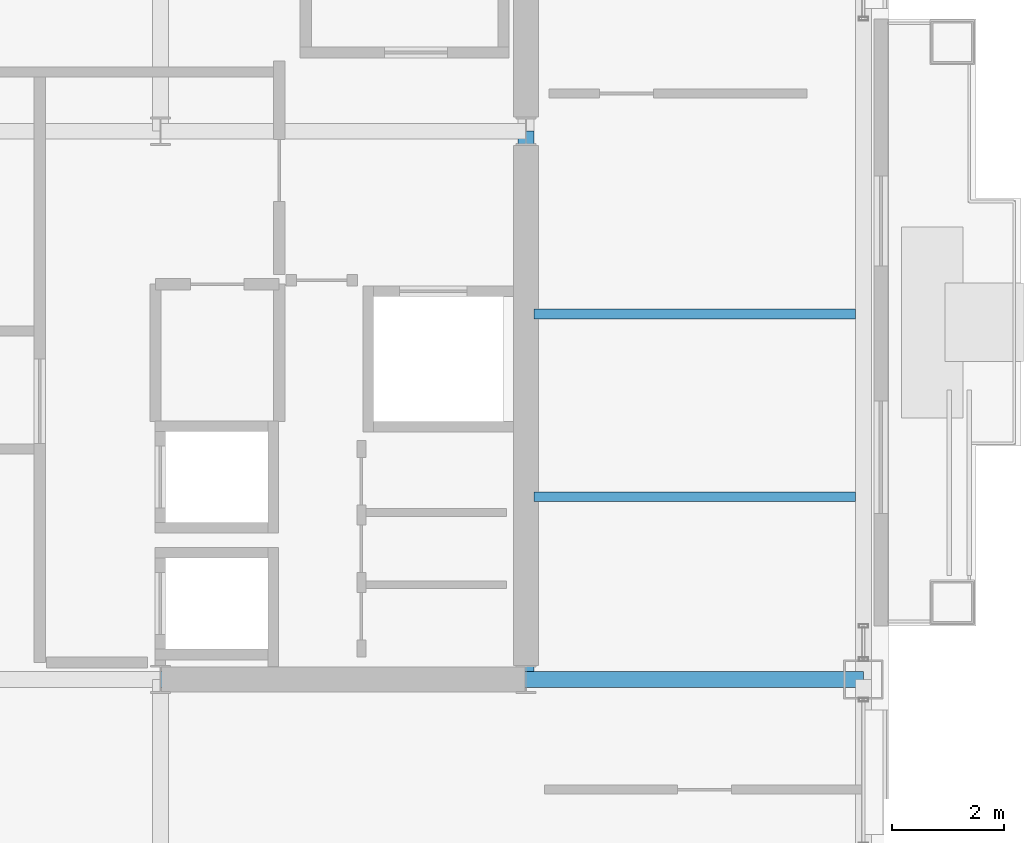
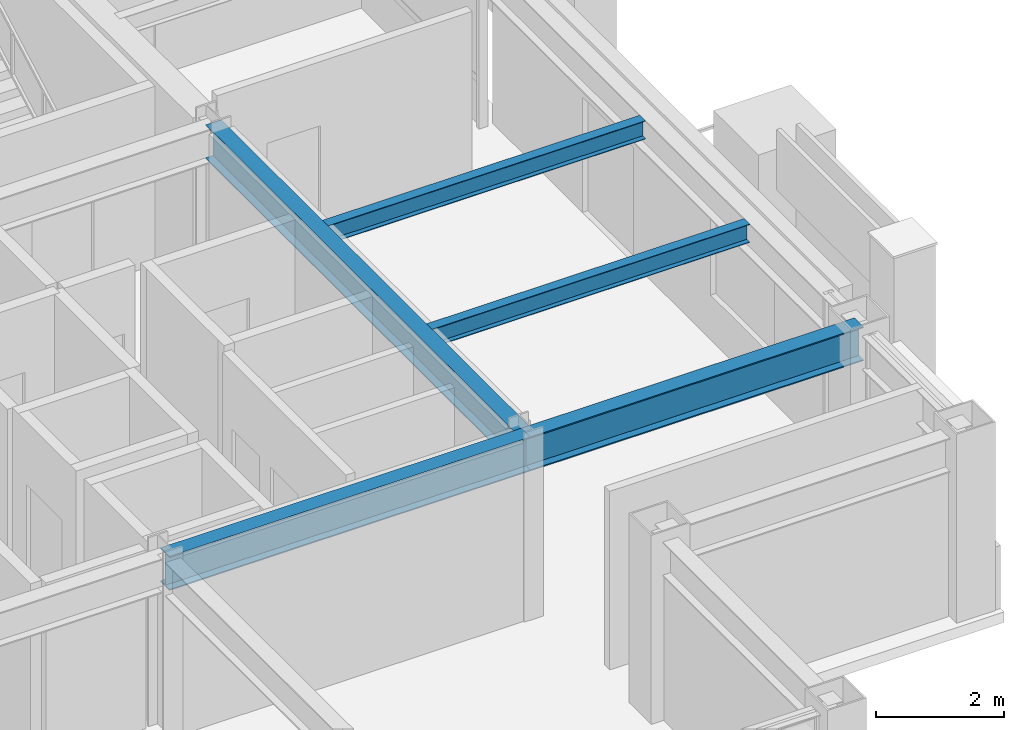
# One storey, part 13 of 30: 5 beams.
"""IFC4 building model written with IfcOpenShell, lengths in metres."""

from ifc_helpers import new_model, si_unit, direction, frame, origin, origin_2d, place, context, subcontext, project, spatial, i_section, extrude, material, material_profile, profile_set, type_object, element, save


model = new_model("IFC4")

# Units and contexts
model_context = context("Model", 3, precision=1e-05, world=origin(), true_north=direction((0.0, 1.0)))
body_context = subcontext(model_context, "Body", "Model", "MODEL_VIEW")
ifc_project = project(units=[si_unit("LENGTHUNIT", "METRE"), si_unit("AREAUNIT", "SQUARE_METRE"), si_unit("VOLUMEUNIT", "CUBIC_METRE"), si_unit("PLANEANGLEUNIT", "RADIAN"), si_unit("MASSUNIT", "GRAM", prefix="KILO")], contexts=[model_context])

# Site, building, storey
site_placement = place(None, origin())
site = spatial("IfcSite", under=ifc_project, at=site_placement, CompositionType="ELEMENT")
building_placement = place(site_placement, origin())
building = spatial("IfcBuilding", under=site, at=building_placement, Name="Brelmoor Portico Tower", CompositionType="ELEMENT")
storey_placement = place(building_placement, frame((0.0, 0.0, 198.300048828125)))
storey = spatial("IfcBuildingStorey", under=building, at=storey_placement, Name="L52", CompositionType="ELEMENT", Elevation=198.300048828125)

# Beams
ifc_material = material(Name="Steel Q355B", Category="steel")
ifc_material_profile_1 = material_profile(ifc_material, i_section(OverallWidth=0.175048828125, OverallDepth=0.35009765625, WebThickness=0.007080078125, FlangeThickness=0.010986328125, at=origin_2d()), Name="HN 350x175x7x11")
ifc_profile_set_1 = profile_set([ifc_material_profile_1], Name="Steel Q355B")
beam_type_1 = type_object("IfcBeamType", Name="BM-JS-350", PredefinedType="JOIST", material=ifc_profile_set_1)
for number, where, z_axis, x_axis, name in (
    (1, (14.68994140625, -6.5, 3.224853515625), (1.0, 0.0, 0.0), (0.0, 1.0, 0.0), "L52 Secondary Wing Joist JS-E09"),
    (2, (14.68994140625, -3.25, 3.224853515625), (1.0, 0.0, 0.0), (0.0, 1.0, 0.0), "L52 Secondary Wing Joist JS-E10"),
):
    element("IfcBeam", number, at=place(storey_placement, frame(where, z_axis=z_axis, x_axis=x_axis)), inside=storey, type_object=beam_type_1, Name=name, PredefinedType="JOIST", context=body_context, shape_type="SweptSolid", body=[
        extrude(i_section(OverallWidth=0.175048828125, OverallDepth=0.35009765625, WebThickness=0.007080078125, FlangeThickness=0.010986328125, at=origin_2d()), origin(), (0.0, 0.0, 1.0), 5.719970703125),
    ])
ifc_material_profile_2 = material_profile(ifc_material, i_section(OverallWidth=0.280029296875, OverallDepth=0.64990234375, WebThickness=0.012939453125, FlangeThickness=0.02197265625, at=origin_2d()), Name="HN 650x280x13x22")
ifc_profile_set_2 = profile_set([ifc_material_profile_2], Name="Steel Q355B")
beam_type_2 = type_object("IfcBeamType", Name="BM-PG-650", PredefinedType="BEAM", material=ifc_profile_set_2)
beam_1_placement = place(storey_placement, frame((14.550048828125, -9.75, 3.074951171875), z_axis=(0.0, 1.0, 0.0), x_axis=(-1.0, 0.0, 0.0)))
element("IfcBeam", 3, at=beam_1_placement, inside=storey, type_object=beam_type_2, Name="L52 Primary Floor Girder PG-09", PredefinedType="BEAM", context=body_context, shape_type="SweptSolid", body=[
    extrude(i_section(OverallWidth=0.280029296875, OverallDepth=0.64990234375, WebThickness=0.012939453125, FlangeThickness=0.02197265625, at=origin_2d()), origin(), (0.0, 0.0, 1.0), 9.75),
])
beam_2_placement = place(storey_placement, frame((8.050048828125, -9.75, 3.074951171875), z_axis=(1.0, 0.0, 0.0), x_axis=(0.0, 1.0, 0.0)))
element("IfcBeam", 4, at=beam_2_placement, inside=storey, type_object=beam_type_2, Name="L52 Primary Floor Girder PG-14", PredefinedType="BEAM", context=body_context, shape_type="SweptSolid", body=[
    extrude(i_section(OverallWidth=0.280029296875, OverallDepth=0.64990234375, WebThickness=0.012939453125, FlangeThickness=0.02197265625, at=origin_2d()), origin(), (0.0, 0.0, 1.0), 6.5),
])
beam_3_placement = place(storey_placement, frame((14.550048828125, -9.75, 3.074951171875), z_axis=(1.0, 0.0, 0.0), x_axis=(0.0, 1.0, 0.0)))
element("IfcBeam", 5, at=beam_3_placement, inside=storey, type_object=beam_type_2, Name="L52 Primary Floor Girder PG-15", PredefinedType="BEAM", context=body_context, shape_type="SweptSolid", body=[
    extrude(i_section(OverallWidth=0.280029296875, OverallDepth=0.64990234375, WebThickness=0.012939453125, FlangeThickness=0.02197265625, at=origin_2d()), origin(), (0.0, 0.0, 1.0), 6.0),
])

save(model, "model.ifc")
